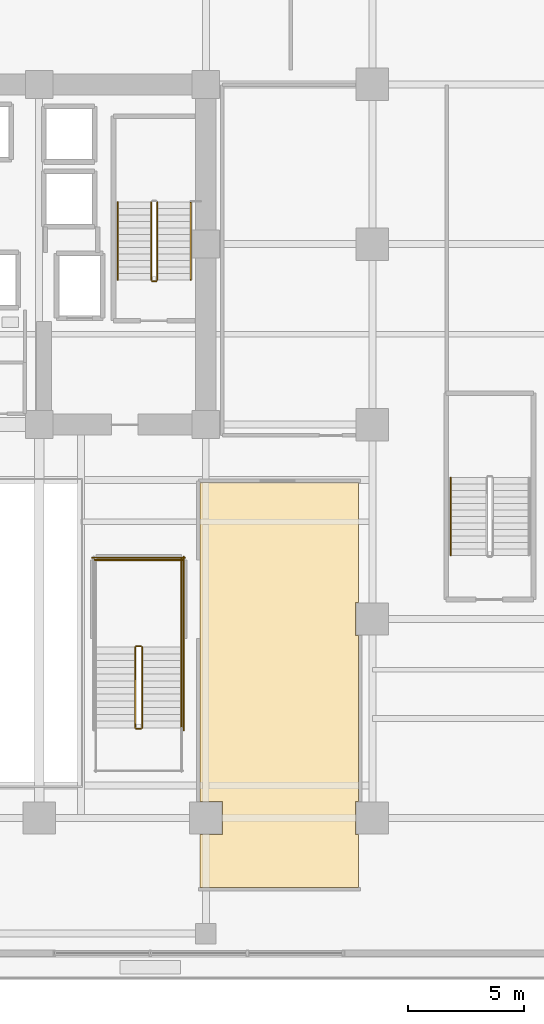
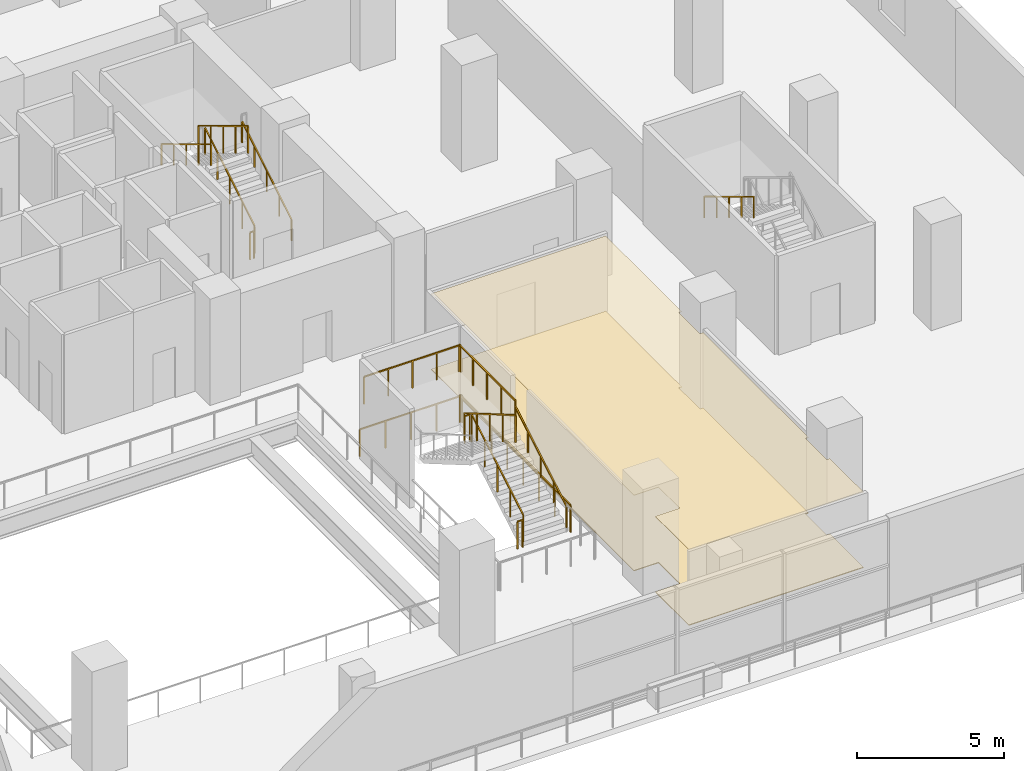
# One storey, part 19 of 22: 15 railings, 2 coverings.
"""IFC4 building model written with IfcOpenShell, lengths in metres."""

from ifc_helpers import new_model, si_unit, direction, frame, origin, origin_2d, place, context, subcontext, project, spatial, polyline, rectangle, outline, extrude, material, layer, layer_set, type_object, element, save


model = new_model("IFC4")

# Units and contexts
model_context = context("Model", 3, precision=1e-05, world=origin(), true_north=direction((0.0, 1.0)))
body_context = subcontext(model_context, "Body", "Model", "MODEL_VIEW")
ifc_project = project(units=[si_unit("LENGTHUNIT", "METRE"), si_unit("AREAUNIT", "SQUARE_METRE"), si_unit("VOLUMEUNIT", "CUBIC_METRE"), si_unit("PLANEANGLEUNIT", "RADIAN"), si_unit("MASSUNIT", "GRAM", prefix="KILO")], contexts=[model_context])

# Site, building, storey
site_placement = place(None, origin())
site = spatial("IfcSite", under=ifc_project, at=site_placement, CompositionType="ELEMENT")
building_placement = place(site_placement, origin())
building = spatial("IfcBuilding", under=site, at=building_placement, Name="Zarnakvel Exchange Tower", CompositionType="ELEMENT")
storey_placement = place(building_placement, frame((0.0, 0.0, 9.39990234375)))
storey = spatial("IfcBuildingStorey", under=building, at=storey_placement, Name="L02", CompositionType="ELEMENT", Elevation=9.39990234375)

# Coverings
ifc_material_1 = material(Name="Perforated Bronze Acoustic Metal Ceiling", Category="aluminium")
ifc_layer_1 = layer(ifc_material_1, 0.02001953125)
ifc_layer_set_1 = layer_set([ifc_layer_1], Name="Perforated Bronze Acoustic Metal Ceiling")
covering_type_1 = type_object("IfcCoveringType", Name="CLG-01", PredefinedType="CEILING", material=ifc_layer_set_1)
covering_1_placement = place(storey_placement, frame((0.0, 0.0, 3.130126953125)))
element("IfcCovering", 1, at=covering_1_placement, inside=storey, type_object=covering_type_1, Name="L02 Suspended Acoustic Ceiling (Market Heritage Gallery)", PredefinedType="CEILING", context=body_context, shape_type="SweptSolid", body=[
    extrude(outline(polyline([(21.0, -3.7099609375), (21.0, -8.8798828125), (20.8798828125, -8.8798828125), (20.8798828125, -10.320068359375), (21.0, -10.320068359375), (21.0, -17.47998046875), (20.8798828125, -17.47998046875), (20.8798828125, -18.919921875), (21.0, -18.919921875), (21.0, -21.199951171875), (14.159912109375, -21.199951171875), (14.159912109375, -18.919921875), (15.1201171875, -18.919921875), (15.1201171875, -17.47998046875), (14.159912109375, -17.47998046875), (14.159912109375, -3.7099609375), (21.0, -3.7099609375)])), origin(), (0.0, 0.0, 1.0), 0.02001953125),
])
ifc_material_2 = material(Name="Honed Limestone & Turquoise Inlay Stone", Category="masonry")
ifc_layer_2 = layer(ifc_material_2, 0.030029296875)
ifc_layer_set_2 = layer_set([ifc_layer_2], Name="Honed Limestone & Turquoise Inlay Stone")
covering_type_2 = type_object("IfcCoveringType", Name="FLR-01", PredefinedType="FLOORING", material=ifc_layer_set_2)
covering_2_placement = place(storey_placement, origin())
element("IfcCovering", 2, at=covering_2_placement, inside=storey, type_object=covering_type_2, Name="L02 Floor Finish (Market Heritage Gallery)", PredefinedType="FLOORING", context=body_context, shape_type="SweptSolid", body=[
    extrude(outline(polyline([(21.0, -3.7099609375), (21.0, -8.8798828125), (20.8798828125, -8.8798828125), (20.8798828125, -10.320068359375), (21.0, -10.320068359375), (21.0, -17.47998046875), (20.8798828125, -17.47998046875), (20.8798828125, -18.919921875), (21.0, -18.919921875), (21.0, -21.199951171875), (14.159912109375, -21.199951171875), (14.159912109375, -18.919921875), (15.1201171875, -18.919921875), (15.1201171875, -17.47998046875), (14.159912109375, -17.47998046875), (14.159912109375, -3.7099609375), (21.0, -3.7099609375)])), origin(), (0.0, 0.0, 1.0), 0.030029296875),
])

# Railings
ifc_material_3 = material(Name="Brushed Stainless Steel", Category="steel")
railing_type_1 = type_object("IfcRailingType", Name="HR-01", PredefinedType="HANDRAIL", material=ifc_material_3)
railing_1_placement = place(storey_placement, frame((13.75, 5.050048828125, 0.16943359375)))
element("IfcRailing", 3, at=railing_1_placement, inside=storey, type_object=railing_type_1, Name="L02 ST-02 stair handrail 1", PredefinedType="HANDRAIL", context=body_context, shape_type="SweptSolid", body=[
    extrude(rectangle(XDim=0.048095703125, YDim=0.048095703125, at=origin_2d()), frame((0.0, 0.0, 0.8759765625), z_axis=(0.0, 0.855820338506, 0.51727318527), x_axis=(-1.0, 0.0, 0.0)), (0.0, 0.0, 1.0), 3.92578125),
    extrude(rectangle(XDim=0.0419921875, YDim=0.0419921875, at=origin_2d()), origin(), (0.0, 0.0, 1.0), 0.851806640625),
    extrude(rectangle(XDim=0.0419921875, YDim=0.0419921875, at=origin_2d()), frame((0.0, 0.83984375, 0.5078125)), (0.0, 0.0, 1.0), 0.851806640625),
    extrude(rectangle(XDim=0.0419921875, YDim=0.0419921875, at=origin_2d()), frame((0.0, 1.679931640625, 1.015380859375)), (0.0, 0.0, 1.0), 0.851806640625),
    extrude(rectangle(XDim=0.0419921875, YDim=0.0419921875, at=origin_2d()), frame((0.0, 2.52001953125, 1.52294921875)), (0.0, 0.0, 1.0), 0.851806640625),
    extrude(rectangle(XDim=0.0419921875, YDim=0.0419921875, at=origin_2d()), frame((0.0, 3.35986328125, 2.03076171875)), (0.0, 0.0, 1.0), 0.851806640625),
])
railing_2_placement = place(storey_placement, frame((10.590087890625, 8.409912109375, 2.369384765625)))
element("IfcRailing", 4, at=railing_2_placement, inside=storey, type_object=railing_type_1, Name="L02 ST-02 stair handrail 2", PredefinedType="HANDRAIL", context=body_context, shape_type="SweptSolid", body=[
    extrude(rectangle(XDim=0.048095703125, YDim=0.048095703125, at=origin_2d()), frame((0.0, 0.0, 0.8759765625), z_axis=(0.0, -0.855820338506, 0.51727318527), x_axis=(1.0, 0.0, 0.0)), (0.0, 0.0, 1.0), 3.92578125),
    extrude(rectangle(XDim=0.0419921875, YDim=0.0419921875, at=origin_2d()), origin(), (0.0, 0.0, 1.0), 0.851806640625),
    extrude(rectangle(XDim=0.0419921875, YDim=0.0419921875, at=origin_2d()), frame((0.0, -0.83984375, 0.5078125)), (0.0, 0.0, 1.0), 0.851806640625),
    extrude(rectangle(XDim=0.0419921875, YDim=0.0419921875, at=origin_2d()), frame((0.0, -1.679931640625, 1.015380859375)), (0.0, 0.0, 1.0), 0.851806640625),
    extrude(rectangle(XDim=0.0419921875, YDim=0.0419921875, at=origin_2d()), frame((0.0, -2.52001953125, 1.52294921875)), (0.0, 0.0, 1.0), 0.851806640625),
    extrude(rectangle(XDim=0.0419921875, YDim=0.0419921875, at=origin_2d()), frame((0.0, -3.35986328125, 2.03076171875)), (0.0, 0.0, 1.0), 0.851806640625),
])
railing_3_placement = place(storey_placement, frame((24.989990234375, -3.489990234375, 2.369384765625)))
element("IfcRailing", 5, at=railing_3_placement, inside=storey, type_object=railing_type_1, Name="L02 ST-04 stair handrail 2", PredefinedType="HANDRAIL", context=body_context, shape_type="SweptSolid", body=[
    extrude(rectangle(XDim=0.048095703125, YDim=0.048095703125, at=origin_2d()), frame((0.0, 0.0, 0.8759765625), z_axis=(0.0, -0.855836976705, 0.517245656632), x_axis=(1.0, 0.0, 0.0)), (0.0, 0.0, 1.0), 3.926025390625),
    extrude(rectangle(XDim=0.0419921875, YDim=0.0419921875, at=origin_2d()), origin(), (0.0, 0.0, 1.0), 0.851806640625),
    extrude(rectangle(XDim=0.0419921875, YDim=0.0419921875, at=origin_2d()), frame((0.0, -0.840087890625, 0.5078125)), (0.0, 0.0, 1.0), 0.851806640625),
    extrude(rectangle(XDim=0.0419921875, YDim=0.0419921875, at=origin_2d()), frame((0.0, -1.68017578125, 1.015380859375)), (0.0, 0.0, 1.0), 0.851806640625),
    extrude(rectangle(XDim=0.0419921875, YDim=0.0419921875, at=origin_2d()), frame((0.0, -2.52001953125, 1.52294921875)), (0.0, 0.0, 1.0), 0.851806640625),
    extrude(rectangle(XDim=0.0419921875, YDim=0.0419921875, at=origin_2d()), frame((0.0, -3.360107421875, 2.03076171875)), (0.0, 0.0, 1.0), 0.851806640625),
])
railing_4_placement = place(storey_placement, frame((13.35009765625, -14.300048828125, 0.16943359375)))
element("IfcRailing", 6, at=railing_4_placement, inside=storey, type_object=railing_type_1, Name="L02 ST-06 stair handrail 1", PredefinedType="HANDRAIL", context=body_context, shape_type="SweptSolid", body=[
    extrude(rectangle(XDim=0.048095703125, YDim=0.048095703125, at=origin_2d()), frame((0.0, 0.0, 0.8759765625), z_axis=(0.0, 0.863695377172, 0.504014181796), x_axis=(-1.0, 0.0, 0.0)), (0.0, 0.0, 1.0), 4.029296875),
    extrude(rectangle(XDim=0.0419921875, YDim=0.0419921875, at=origin_2d()), origin(), (0.0, 0.0, 1.0), 0.851806640625),
    extrude(rectangle(XDim=0.0419921875, YDim=0.0419921875, at=origin_2d()), frame((0.0, 0.8701171875, 0.5078125)), (0.0, 0.0, 1.0), 0.851806640625),
    extrude(rectangle(XDim=0.0419921875, YDim=0.0419921875, at=origin_2d()), frame((0.0, 1.739990234375, 1.015380859375)), (0.0, 0.0, 1.0), 0.851806640625),
    extrude(rectangle(XDim=0.0419921875, YDim=0.0419921875, at=origin_2d()), frame((0.0, 2.60986328125, 1.52294921875)), (0.0, 0.0, 1.0), 0.851806640625),
    extrude(rectangle(XDim=0.0419921875, YDim=0.0419921875, at=origin_2d()), frame((0.0, 3.47998046875, 2.03076171875)), (0.0, 0.0, 1.0), 0.851806640625),
])
ifc_material_4 = material(Name="Architectural Bronze Anodised Aluminium", Category="aluminium")
railing_type_2 = type_object("IfcRailingType", Name="SG-01", PredefinedType="GUARDRAIL", material=ifc_material_4)
railing_5_placement = place(storey_placement, frame((12.300048828125, 5.050048828125, 0.16943359375)))
element("IfcRailing", 7, at=railing_5_placement, inside=storey, type_object=railing_type_2, Name="L02 ST-02 stair guard 1", PredefinedType="GUARDRAIL", context=body_context, shape_type="SweptSolid", body=[
    extrude(rectangle(XDim=0.048095703125, YDim=0.048095703125, at=origin_2d()), frame((0.0, 0.0, 1.1259765625), z_axis=(0.0, 0.855820338506, 0.51727318527), x_axis=(-1.0, 0.0, 0.0)), (0.0, 0.0, 1.0), 3.92578125),
    extrude(rectangle(XDim=0.0419921875, YDim=0.0419921875, at=origin_2d()), origin(), (0.0, 0.0, 1.0), 1.101806640625),
    extrude(rectangle(XDim=0.0419921875, YDim=0.0419921875, at=origin_2d()), frame((0.0, 0.83984375, 0.5078125)), (0.0, 0.0, 1.0), 1.101806640625),
    extrude(rectangle(XDim=0.0419921875, YDim=0.0419921875, at=origin_2d()), frame((0.0, 1.679931640625, 1.015380859375)), (0.0, 0.0, 1.0), 1.101806640625),
    extrude(rectangle(XDim=0.0419921875, YDim=0.0419921875, at=origin_2d()), frame((0.0, 2.52001953125, 1.52294921875)), (0.0, 0.0, 1.0), 1.101806640625),
    extrude(rectangle(XDim=0.0419921875, YDim=0.0419921875, at=origin_2d()), frame((0.0, 3.35986328125, 2.03076171875)), (0.0, 0.0, 1.0), 1.101806640625),
])
railing_6_placement = place(storey_placement, frame((12.0400390625, 8.409912109375, 2.369384765625)))
element("IfcRailing", 8, at=railing_6_placement, inside=storey, type_object=railing_type_2, Name="L02 ST-02 stair guard 3", PredefinedType="GUARDRAIL", context=body_context, shape_type="SweptSolid", body=[
    extrude(rectangle(XDim=0.048095703125, YDim=0.048095703125, at=origin_2d()), frame((0.0, 0.0, 1.1259765625), z_axis=(0.0, -0.855820338506, 0.51727318527), x_axis=(1.0, 0.0, 0.0)), (0.0, 0.0, 1.0), 3.92578125),
    extrude(rectangle(XDim=0.0419921875, YDim=0.0419921875, at=origin_2d()), origin(), (0.0, 0.0, 1.0), 1.101806640625),
    extrude(rectangle(XDim=0.0419921875, YDim=0.0419921875, at=origin_2d()), frame((0.0, -0.83984375, 0.5078125)), (0.0, 0.0, 1.0), 1.101806640625),
    extrude(rectangle(XDim=0.0419921875, YDim=0.0419921875, at=origin_2d()), frame((0.0, -1.679931640625, 1.015380859375)), (0.0, 0.0, 1.0), 1.101806640625),
    extrude(rectangle(XDim=0.0419921875, YDim=0.0419921875, at=origin_2d()), frame((0.0, -2.52001953125, 1.52294921875)), (0.0, 0.0, 1.0), 1.101806640625),
    extrude(rectangle(XDim=0.0419921875, YDim=0.0419921875, at=origin_2d()), frame((0.0, -3.35986328125, 2.03076171875)), (0.0, 0.0, 1.0), 1.101806640625),
])
railing_7_placement = place(storey_placement, frame((12.25, 5.0, 0.0)))
element("IfcRailing", 9, at=railing_7_placement, inside=storey, type_object=railing_type_2, Name="L02 ST-02 stair guard 4", PredefinedType="GUARDRAIL", context=body_context, shape_type="SweptSolid", body=[
    extrude(rectangle(XDim=0.048095703125, YDim=0.048095703125, at=origin_2d()), frame((0.0, 0.0, 1.1259765625), z_axis=(-1.0, 0.0, 0.0), x_axis=(0.0, -1.0, 0.0)), (0.0, 0.0, 1.0), 0.159912109375),
    extrude(rectangle(XDim=0.0419921875, YDim=0.0419921875, at=origin_2d()), origin(), (0.0, 0.0, 1.0), 1.101806640625),
    extrude(rectangle(XDim=0.0419921875, YDim=0.0419921875, at=origin_2d()), frame((-0.159912109375, 0.0, 0.0)), (0.0, 0.0, 1.0), 1.101806640625),
])
railing_8_placement = place(storey_placement, frame((11.64990234375, -14.300048828125, 0.16943359375)))
element("IfcRailing", 10, at=railing_8_placement, inside=storey, type_object=railing_type_2, Name="L02 ST-06 stair guard 1", PredefinedType="GUARDRAIL", context=body_context, shape_type="SweptSolid", body=[
    extrude(rectangle(XDim=0.048095703125, YDim=0.048095703125, at=origin_2d()), frame((0.0, 0.0, 1.1259765625), z_axis=(0.0, 0.863695377172, 0.504014181796), x_axis=(-1.0, 0.0, 0.0)), (0.0, 0.0, 1.0), 4.029296875),
    extrude(rectangle(XDim=0.0419921875, YDim=0.0419921875, at=origin_2d()), origin(), (0.0, 0.0, 1.0), 1.101806640625),
    extrude(rectangle(XDim=0.0419921875, YDim=0.0419921875, at=origin_2d()), frame((0.0, 0.8701171875, 0.5078125)), (0.0, 0.0, 1.0), 1.101806640625),
    extrude(rectangle(XDim=0.0419921875, YDim=0.0419921875, at=origin_2d()), frame((0.0, 1.739990234375, 1.015380859375)), (0.0, 0.0, 1.0), 1.101806640625),
    extrude(rectangle(XDim=0.0419921875, YDim=0.0419921875, at=origin_2d()), frame((0.0, 2.60986328125, 1.52294921875)), (0.0, 0.0, 1.0), 1.101806640625),
    extrude(rectangle(XDim=0.0419921875, YDim=0.0419921875, at=origin_2d()), frame((0.0, 3.47998046875, 2.03076171875)), (0.0, 0.0, 1.0), 1.101806640625),
])
railing_9_placement = place(storey_placement, frame((11.60009765625, -10.77001953125, 2.2001953125)))
element("IfcRailing", 11, at=railing_9_placement, inside=storey, type_object=railing_type_2, Name="L02 ST-06 stair guard 2", PredefinedType="GUARDRAIL", context=body_context, shape_type="SweptSolid", body=[
    extrude(rectangle(XDim=0.048095703125, YDim=0.048095703125, at=origin_2d()), frame((0.0, 0.0, 1.1259765625), z_axis=(-1.0, 0.0, 0.0), x_axis=(0.0, -1.0, 0.0)), (0.0, 0.0, 1.0), 0.2001953125),
    extrude(rectangle(XDim=0.0419921875, YDim=0.0419921875, at=origin_2d()), origin(), (0.0, 0.0, 1.0), 1.101806640625),
    extrude(rectangle(XDim=0.0419921875, YDim=0.0419921875, at=origin_2d()), frame((-0.2001953125, 0.0, 0.0)), (0.0, 0.0, 1.0), 1.101806640625),
])
railing_10_placement = place(storey_placement, frame((13.35009765625, -10.820068359375, 2.2001953125)))
element("IfcRailing", 12, at=railing_10_placement, inside=storey, type_object=railing_type_2, Name="L02 ST-06 stair guard 3", PredefinedType="GUARDRAIL", context=body_context, shape_type="SweptSolid", body=[
    extrude(rectangle(XDim=0.048095703125, YDim=0.048095703125, at=origin_2d()), frame((0.0, 0.0, 1.1259765625), z_axis=(0.0, 1.0, 0.0), x_axis=(-1.0, 0.0, 0.0)), (0.0, 0.0, 1.0), 3.820068359375),
    extrude(rectangle(XDim=0.0419921875, YDim=0.0419921875, at=origin_2d()), origin(), (0.0, 0.0, 1.0), 1.101806640625),
    extrude(rectangle(XDim=0.0419921875, YDim=0.0419921875, at=origin_2d()), frame((0.0, 0.955078125, 0.0)), (0.0, 0.0, 1.0), 1.101806640625),
    extrude(rectangle(XDim=0.0419921875, YDim=0.0419921875, at=origin_2d()), frame((0.0, 1.91015625, 0.0)), (0.0, 0.0, 1.0), 1.101806640625),
    extrude(rectangle(XDim=0.0419921875, YDim=0.0419921875, at=origin_2d()), frame((0.0, 2.864990234375, 0.0)), (0.0, 0.0, 1.0), 1.101806640625),
    extrude(rectangle(XDim=0.0419921875, YDim=0.0419921875, at=origin_2d()), frame((0.0, 3.820068359375, 0.0)), (0.0, 0.0, 1.0), 1.101806640625),
])
railing_11_placement = place(storey_placement, frame((13.39990234375, -7.050048828125, 2.2001953125)))
element("IfcRailing", 13, at=railing_11_placement, inside=storey, type_object=railing_type_2, Name="L02 ST-06 stair guard 5", PredefinedType="GUARDRAIL", context=body_context, shape_type="SweptSolid", body=[
    extrude(rectangle(XDim=0.048095703125, YDim=0.048095703125, at=origin_2d()), frame((0.0, 0.0, 1.1259765625), z_axis=(-1.0, 0.0, 0.0), x_axis=(0.0, -1.0, 0.0)), (0.0, 0.0, 1.0), 3.7998046875),
    extrude(rectangle(XDim=0.0419921875, YDim=0.0419921875, at=origin_2d()), origin(), (0.0, 0.0, 1.0), 1.101806640625),
    extrude(rectangle(XDim=0.0419921875, YDim=0.0419921875, at=origin_2d()), frame((-0.949951171875, 0.0, 0.0)), (0.0, 0.0, 1.0), 1.101806640625),
    extrude(rectangle(XDim=0.0419921875, YDim=0.0419921875, at=origin_2d()), frame((-1.89990234375, 0.0, 0.0)), (0.0, 0.0, 1.0), 1.101806640625),
    extrude(rectangle(XDim=0.0419921875, YDim=0.0419921875, at=origin_2d()), frame((-2.849853515625, 0.0, 0.0)), (0.0, 0.0, 1.0), 1.101806640625),
    extrude(rectangle(XDim=0.0419921875, YDim=0.0419921875, at=origin_2d()), frame((-3.7998046875, 0.0, 0.0)), (0.0, 0.0, 1.0), 1.101806640625),
])
railing_12_placement = place(storey_placement, frame((11.35009765625, -10.820068359375, 2.369384765625)))
element("IfcRailing", 14, at=railing_12_placement, inside=storey, type_object=railing_type_2, Name="L02 ST-06 stair guard 6", PredefinedType="GUARDRAIL", context=body_context, shape_type="SweptSolid", body=[
    extrude(rectangle(XDim=0.048095703125, YDim=0.048095703125, at=origin_2d()), frame((0.0, 0.0, 1.1259765625), z_axis=(0.0, -0.863695377172, 0.504014181796), x_axis=(1.0, 0.0, 0.0)), (0.0, 0.0, 1.0), 4.029296875),
    extrude(rectangle(XDim=0.0419921875, YDim=0.0419921875, at=origin_2d()), origin(), (0.0, 0.0, 1.0), 1.101806640625),
    extrude(rectangle(XDim=0.0419921875, YDim=0.0419921875, at=origin_2d()), frame((0.0, -0.8701171875, 0.5078125)), (0.0, 0.0, 1.0), 1.101806640625),
    extrude(rectangle(XDim=0.0419921875, YDim=0.0419921875, at=origin_2d()), frame((0.0, -1.739990234375, 1.015380859375)), (0.0, 0.0, 1.0), 1.101806640625),
    extrude(rectangle(XDim=0.0419921875, YDim=0.0419921875, at=origin_2d()), frame((0.0, -2.60986328125, 1.52294921875)), (0.0, 0.0, 1.0), 1.101806640625),
    extrude(rectangle(XDim=0.0419921875, YDim=0.0419921875, at=origin_2d()), frame((0.0, -3.47998046875, 2.03076171875)), (0.0, 0.0, 1.0), 1.101806640625),
])
railing_13_placement = place(storey_placement, frame((11.60009765625, -14.35009765625, 0.0)))
element("IfcRailing", 15, at=railing_13_placement, inside=storey, type_object=railing_type_2, Name="L02 ST-06 stair guard 7", PredefinedType="GUARDRAIL", context=body_context, shape_type="SweptSolid", body=[
    extrude(rectangle(XDim=0.048095703125, YDim=0.048095703125, at=origin_2d()), frame((0.0, 0.0, 1.1259765625), z_axis=(-1.0, 0.0, 0.0), x_axis=(0.0, -1.0, 0.0)), (0.0, 0.0, 1.0), 0.2001953125),
    extrude(rectangle(XDim=0.0419921875, YDim=0.0419921875, at=origin_2d()), origin(), (0.0, 0.0, 1.0), 1.101806640625),
    extrude(rectangle(XDim=0.0419921875, YDim=0.0419921875, at=origin_2d()), frame((-0.2001953125, 0.0, 0.0)), (0.0, 0.0, 1.0), 1.101806640625),
])
railing_14_placement = place(storey_placement, frame((13.449951171875, -14.39990234375, 0.0)))
element("IfcRailing", 16, at=railing_14_placement, inside=storey, type_object=railing_type_2, Name="L02 ST-06 stair guard 11", PredefinedType="GUARDRAIL", context=body_context, shape_type="SweptSolid", body=[
    extrude(rectangle(XDim=0.048095703125, YDim=0.048095703125, at=origin_2d()), frame((0.0, 0.0, 1.1259765625), z_axis=(0.0, 1.0, 0.0), x_axis=(-1.0, 0.0, 0.0)), (0.0, 0.0, 1.0), 7.5),
    extrude(rectangle(XDim=0.0419921875, YDim=0.0419921875, at=origin_2d()), origin(), (0.0, 0.0, 1.0), 1.101806640625),
    extrude(rectangle(XDim=0.0419921875, YDim=0.0419921875, at=origin_2d()), frame((0.0, 1.071533203125, 0.0)), (0.0, 0.0, 1.0), 1.101806640625),
    extrude(rectangle(XDim=0.0419921875, YDim=0.0419921875, at=origin_2d()), frame((0.0, 2.142822265625, 0.0)), (0.0, 0.0, 1.0), 1.101806640625),
    extrude(rectangle(XDim=0.0419921875, YDim=0.0419921875, at=origin_2d()), frame((0.0, 3.21435546875, 0.0)), (0.0, 0.0, 1.0), 1.101806640625),
    extrude(rectangle(XDim=0.0419921875, YDim=0.0419921875, at=origin_2d()), frame((0.0, 4.28564453125, 0.0)), (0.0, 0.0, 1.0), 1.101806640625),
    extrude(rectangle(XDim=0.0419921875, YDim=0.0419921875, at=origin_2d()), frame((0.0, 5.357177734375, 0.0)), (0.0, 0.0, 1.0), 1.101806640625),
    extrude(rectangle(XDim=0.0419921875, YDim=0.0419921875, at=origin_2d()), frame((0.0, 6.428466796875, 0.0)), (0.0, 0.0, 1.0), 1.101806640625),
    extrude(rectangle(XDim=0.0419921875, YDim=0.0419921875, at=origin_2d()), frame((0.0, 7.5, 0.0)), (0.0, 0.0, 1.0), 1.101806640625),
])
railing_15_placement = place(storey_placement, frame((13.5, -6.949951171875, 0.0)))
element("IfcRailing", 17, at=railing_15_placement, inside=storey, type_object=railing_type_2, Name="L02 ST-06 stair guard 13", PredefinedType="GUARDRAIL", context=body_context, shape_type="SweptSolid", body=[
    extrude(rectangle(XDim=0.048095703125, YDim=0.048095703125, at=origin_2d()), frame((0.0, 0.0, 1.1259765625), z_axis=(-1.0, 0.0, 0.0), x_axis=(0.0, -1.0, 0.0)), (0.0, 0.0, 1.0), 4.0),
    extrude(rectangle(XDim=0.0419921875, YDim=0.0419921875, at=origin_2d()), origin(), (0.0, 0.0, 1.0), 1.101806640625),
    extrude(rectangle(XDim=0.0419921875, YDim=0.0419921875, at=origin_2d()), frame((-1.0, 0.0, 0.0)), (0.0, 0.0, 1.0), 1.101806640625),
    extrude(rectangle(XDim=0.0419921875, YDim=0.0419921875, at=origin_2d()), frame((-2.0, 0.0, 0.0)), (0.0, 0.0, 1.0), 1.101806640625),
    extrude(rectangle(XDim=0.0419921875, YDim=0.0419921875, at=origin_2d()), frame((-3.0, 0.0, 0.0)), (0.0, 0.0, 1.0), 1.101806640625),
    extrude(rectangle(XDim=0.0419921875, YDim=0.0419921875, at=origin_2d()), frame((-4.0, 0.0, 0.0)), (0.0, 0.0, 1.0), 1.101806640625),
])

save(model, "model.ifc")
